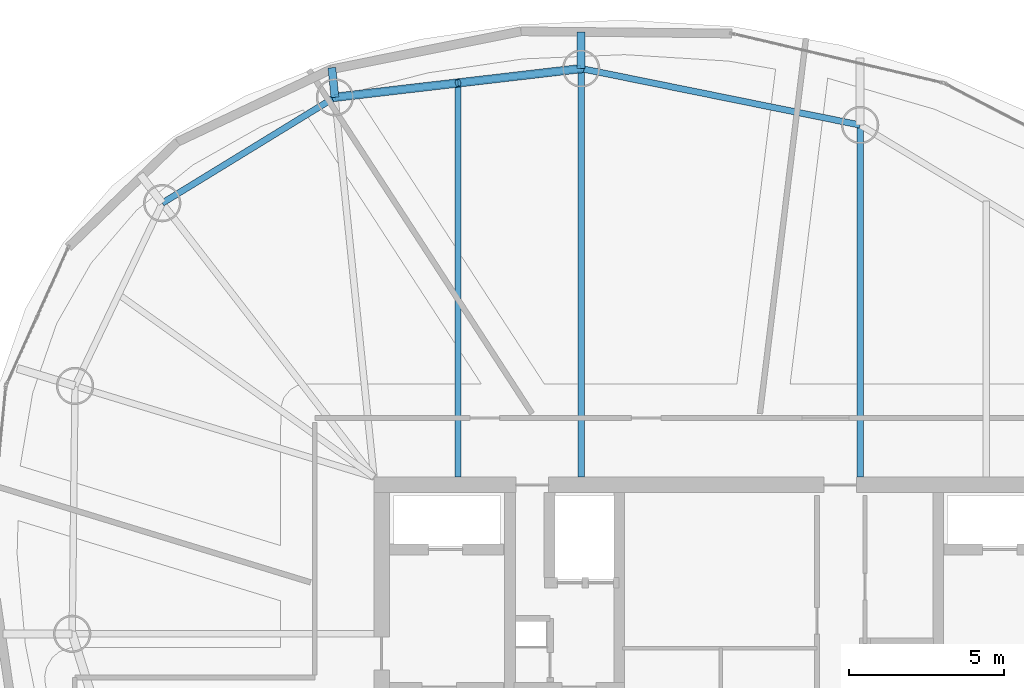
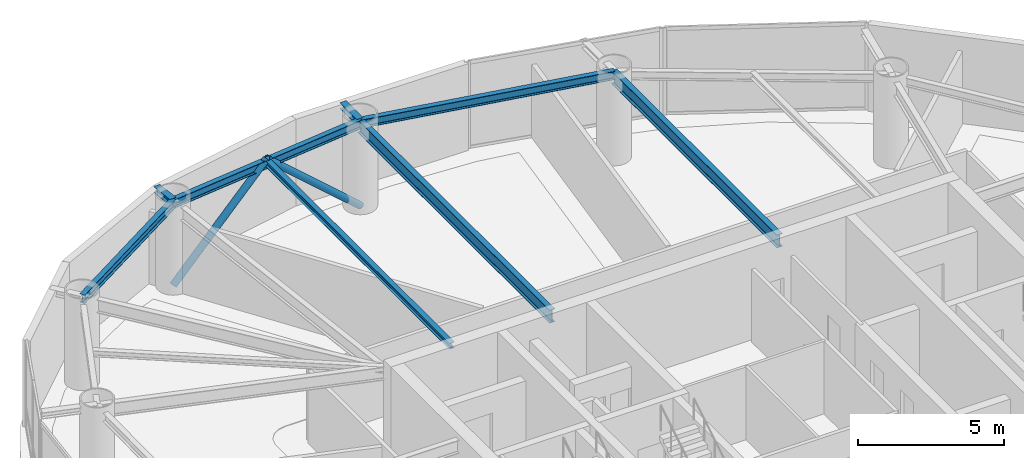
# One storey, part 13 of 25: 8 beams, 2 members.
"""IFC4 building model written with IfcOpenShell, lengths in metres."""

from ifc_helpers import new_model, si_unit, direction, frame, origin, origin_2d, place, context, subcontext, project, spatial, hollow_circle, i_section, extrude, material, material_profile, profile_set, type_object, element, save


model = new_model("IFC4")

# Units and contexts
model_context = context("Model", 3, precision=1e-05, world=origin(), true_north=direction((0.0, 1.0)))
body_context = subcontext(model_context, "Body", "Model", "MODEL_VIEW")
ifc_project = project(units=[si_unit("LENGTHUNIT", "METRE"), si_unit("AREAUNIT", "SQUARE_METRE"), si_unit("VOLUMEUNIT", "CUBIC_METRE"), si_unit("PLANEANGLEUNIT", "RADIAN"), si_unit("MASSUNIT", "GRAM", prefix="KILO")], contexts=[model_context])

# Site, building, storey
site_placement = place(None, origin())
site = spatial("IfcSite", under=ifc_project, at=site_placement, CompositionType="ELEMENT")
building_placement = place(site_placement, origin())
building = spatial("IfcBuilding", under=site, at=building_placement, Name="Bramvorn Convention Spire", CompositionType="ELEMENT")
storey_placement = place(building_placement, frame((0.0, 0.0, 171.199951171875)))
storey = spatial("IfcBuildingStorey", under=building, at=storey_placement, Name="L43", CompositionType="ELEMENT", Elevation=171.199951171875)

# Beams
ifc_material = material(Name="Steel CSA G40.21 Grade 350 (350W)", Category="steel")
ifc_material_profile_1 = material_profile(ifc_material, i_section(OverallWidth=0.201904296875, OverallDepth=0.2470703125, WebThickness=0.00732421875, FlangeThickness=0.010986328125, FilletRadius=0.011962890625, at=origin_2d()))
ifc_profile_set_1 = profile_set([ifc_material_profile_1], Name="Steel CSA G40.21 Grade 350 (350W) - W250X49")
beam_type_1 = type_object("IfcBeamType", Name="BM-W250X49", PredefinedType="JOIST", material=ifc_profile_set_1)
beam_1_placement = place(storey_placement, frame((29.455810546875, 33.449951171875, 3.49658203125), z_axis=(0.0, 1.0, 0.0), x_axis=(-1.0, 0.0, 0.0)))
element("IfcBeam", 1, at=beam_1_placement, inside=storey, type_object=beam_type_1, Name="L43 composite floor joist 07", PredefinedType="JOIST", context=body_context, shape_type="SweptSolid", body=[
    extrude(i_section(OverallWidth=0.201904296875, OverallDepth=0.2470703125, WebThickness=0.00732421875, FlangeThickness=0.010986328125, FilletRadius=0.011962890625, at=origin_2d()), origin(), (0.0, 0.0, 1.0), 12.676025390625),
])
ifc_material_profile_2 = material_profile(ifc_material, i_section(OverallWidth=0.25390625, OverallDepth=0.2529296875, WebThickness=0.008544921875, FlangeThickness=0.01416015625, FilletRadius=0.011962890625, at=origin_2d()))
ifc_profile_set_2 = profile_set([ifc_material_profile_2], Name="Steel CSA G40.21 Grade 350 (350W) - W250X73")
beam_type_2 = type_object("IfcBeamType", Name="BM-W250X73", PredefinedType="BEAM", material=ifc_profile_set_2)
beam_2_placement = place(storey_placement, frame((33.416259765625, 46.58837890625, 3.49365234375), z_axis=(0.0, 1.0, 0.0), x_axis=(-1.0, 0.0, 0.0)))
element("IfcBeam", 2, at=beam_2_placement, inside=storey, type_object=beam_type_2, Name="L43 slab-edge cantilever tip beam MC07", PredefinedType="BEAM", context=body_context, shape_type="SweptSolid", body=[
    extrude(i_section(OverallWidth=0.25390625, OverallDepth=0.2529296875, WebThickness=0.008544921875, FlangeThickness=0.01416015625, FilletRadius=0.011962890625, at=origin_2d()), origin(), (0.0, 0.0, 1.0), 1.1748046875),
])
beam_3_placement = place(storey_placement, frame((25.49560546875, 45.663818359375, 3.49365234375), z_axis=(-0.102359186337, 0.99474750413, 0.0), x_axis=(-0.99474750413, -0.102359186337, 0.0)))
element("IfcBeam", 3, at=beam_3_placement, inside=storey, type_object=beam_type_2, Name="L43 slab-edge cantilever tip beam MC08", PredefinedType="BEAM", context=body_context, shape_type="SweptSolid", body=[
    extrude(i_section(OverallWidth=0.25390625, OverallDepth=0.2529296875, WebThickness=0.008544921875, FlangeThickness=0.01416015625, FilletRadius=0.011962890625, at=origin_2d()), origin(), (0.0, 0.0, 1.0), 0.95654296875),
])
ifc_material_profile_3 = material_profile(ifc_material, i_section(OverallWidth=0.205078125, OverallDepth=0.35400390625, WebThickness=0.009521484375, FlangeThickness=0.016845703125, FilletRadius=0.014892578125, at=origin_2d()))
ifc_profile_set_3 = profile_set([ifc_material_profile_3], Name="Steel CSA G40.21 Grade 350 (350W) - W360X79")
beam_type_3 = type_object("IfcBeamType", Name="BM-W360X79", PredefinedType="JOIST", material=ifc_profile_set_3)
beam_4_placement = place(storey_placement, frame((42.38916015625, 44.772216796875, 3.443115234375), z_axis=(-0.980124701676, 0.198382381187, 0.0), x_axis=(-0.198382381187, -0.980124701676, 0.0)))
element("IfcBeam", 4, at=beam_4_placement, inside=storey, type_object=beam_type_3, Name="L43 mega-column ring beam 06", PredefinedType="JOIST", context=body_context, shape_type="SweptSolid", body=[
    extrude(i_section(OverallWidth=0.205078125, OverallDepth=0.35400390625, WebThickness=0.009521484375, FlangeThickness=0.016845703125, FilletRadius=0.014892578125, at=origin_2d()), origin(), (0.0, 0.0, 1.0), 9.15478515625),
])
beam_5_placement = place(storey_placement, frame((33.416259765625, 46.58837890625, 3.443115234375), z_axis=(-0.993256148339, -0.115940604561, 0.0), x_axis=(0.115940604561, -0.993256148339, 0.0)))
element("IfcBeam", 5, at=beam_5_placement, inside=storey, type_object=beam_type_3, Name="L43 mega-column ring beam 07", PredefinedType="JOIST", context=body_context, shape_type="SweptSolid", body=[
    extrude(i_section(OverallWidth=0.205078125, OverallDepth=0.35400390625, WebThickness=0.009521484375, FlangeThickness=0.016845703125, FilletRadius=0.014892578125, at=origin_2d()), origin(), (0.0, 0.0, 1.0), 7.974365234375),
])
beam_6_placement = place(storey_placement, frame((25.49560546875, 45.663818359375, 3.443115234375), z_axis=(-0.852616873135, -0.522536570629, 0.0), x_axis=(0.522536570629, -0.852616873135, 0.0)))
element("IfcBeam", 6, at=beam_6_placement, inside=storey, type_object=beam_type_3, Name="L43 mega-column ring beam 08", PredefinedType="JOIST", context=body_context, shape_type="SweptSolid", body=[
    extrude(i_section(OverallWidth=0.205078125, OverallDepth=0.35400390625, WebThickness=0.009521484375, FlangeThickness=0.016845703125, FilletRadius=0.014892578125, at=origin_2d()), origin(), (0.0, 0.0, 1.0), 6.513916015625),
])
ifc_material_profile_4 = material_profile(ifc_material, i_section(OverallWidth=0.2119140625, OverallDepth=0.5439453125, WebThickness=0.01318359375, FlangeThickness=0.021240234375, FilletRadius=0.01904296875, at=origin_2d()))
ifc_profile_set_4 = profile_set([ifc_material_profile_4], Name="Steel CSA G40.21 Grade 350 (350W) - W530X123")
beam_type_4 = type_object("IfcBeamType", Name="BM-W530X123", PredefinedType="BEAM", material=ifc_profile_set_4)
beam_7_placement = place(storey_placement, frame((42.38916015625, 33.449951171875, 3.34814453125), z_axis=(0.0, 1.0, 0.0), x_axis=(-1.0, 0.0, 0.0)))
element("IfcBeam", 7, at=beam_7_placement, inside=storey, type_object=beam_type_4, Name="L43 radial floor girder MC06", PredefinedType="BEAM", context=body_context, shape_type="SweptSolid", body=[
    extrude(i_section(OverallWidth=0.2119140625, OverallDepth=0.5439453125, WebThickness=0.01318359375, FlangeThickness=0.021240234375, FilletRadius=0.01904296875, at=origin_2d()), origin(), (0.0, 0.0, 1.0), 11.322265625),
])
beam_8_placement = place(storey_placement, frame((33.416259765625, 33.449951171875, 3.34814453125), z_axis=(0.0, 1.0, 0.0), x_axis=(-1.0, 0.0, 0.0)))
element("IfcBeam", 8, at=beam_8_placement, inside=storey, type_object=beam_type_4, Name="L43 radial floor girder MC07", PredefinedType="BEAM", context=body_context, shape_type="SweptSolid", body=[
    extrude(i_section(OverallWidth=0.2119140625, OverallDepth=0.5439453125, WebThickness=0.01318359375, FlangeThickness=0.021240234375, FilletRadius=0.01904296875, at=origin_2d()), origin(), (0.0, 0.0, 1.0), 13.138427734375),
])

# Members
ifc_material_profile_5 = material_profile(ifc_material, hollow_circle(Radius=0.136474609375, WallThickness=0.0126953125, at=origin_2d()))
ifc_profile_set_5 = profile_set([ifc_material_profile_5], Name="Steel CSA G40.21 Grade 350 (350W) - CHS273X13")
member_type = type_object("IfcMemberType", Name="MBR-CHS273X13", PredefinedType="BRACE", material=ifc_profile_set_5)
member_1_placement = place(storey_placement, frame((33.416259765625, 46.58837890625, 0.0), z_axis=(-0.735383423132, -0.085859709247, 0.672189951807), x_axis=(0.115967281863, -0.993253033993, 0.0)))
element("IfcMember", 9, at=member_1_placement, inside=storey, type_object=member_type, Name="L43 perimeter Gothic lancet brace 7A", PredefinedType="BRACE", context=body_context, shape_type="SweptSolid", body=[
    extrude(hollow_circle(Radius=0.136474609375, WallThickness=0.0126953125, at=origin_2d()), origin(), (0.0, 0.0, 1.0), 5.385498046875),
])
member_2_placement = place(storey_placement, frame((25.49560546875, 45.663818359375, 0.0), z_axis=(0.735365466565, 0.085817571556, 0.672214976772), x_axis=(-0.115913925363, 0.99325926218, 0.0)))
element("IfcMember", 10, at=member_2_placement, inside=storey, type_object=member_type, Name="L43 perimeter Gothic lancet brace 7B", PredefinedType="BRACE", context=body_context, shape_type="SweptSolid", body=[
    extrude(hollow_circle(Radius=0.136474609375, WallThickness=0.0126953125, at=origin_2d()), origin(), (0.0, 0.0, 1.0), 5.38525390625),
])

save(model, "model.ifc")
